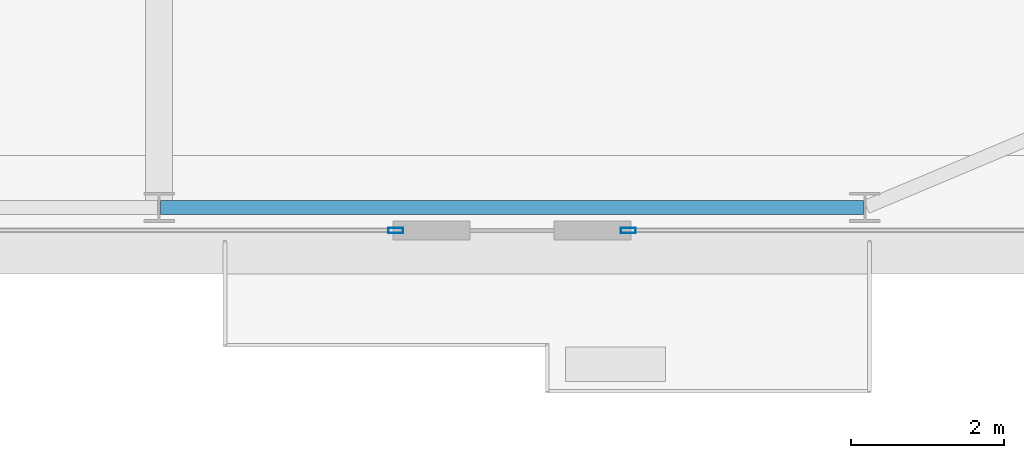
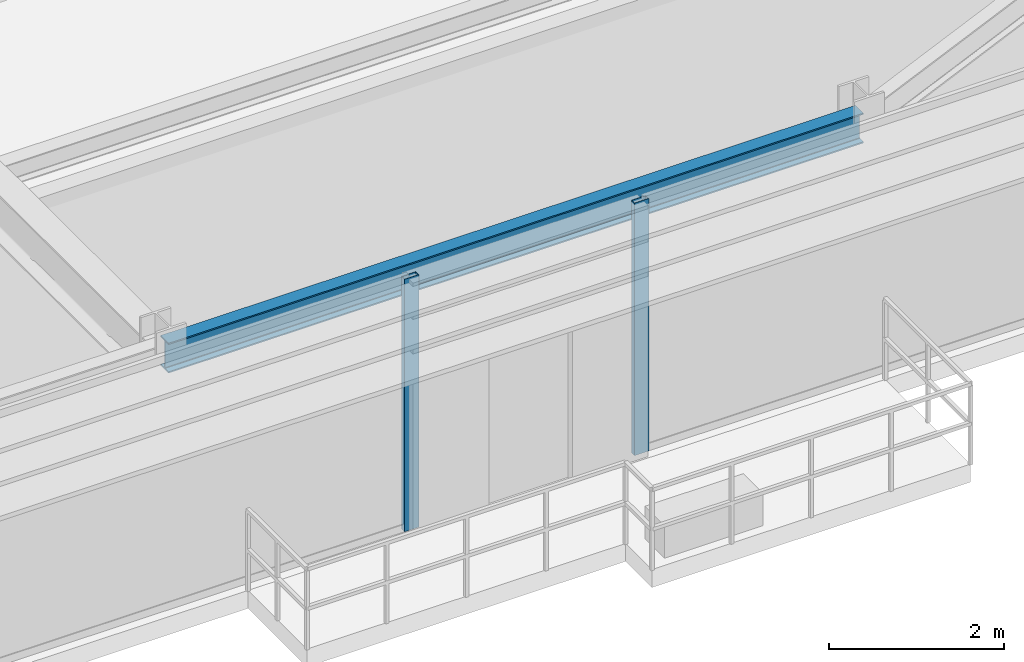
# One storey, part 12 of 31: 2 members, 1 beam, 2 elements without a shape of their own.
"""IFC4 building model written with IfcOpenShell, lengths in metres."""

from ifc_helpers import new_model, si_unit, direction, frame, origin, origin_2d, place, context, subcontext, project, spatial, hollow_rectangle, i_section, extrude, source, transform, mapped, material, layer, layer_set, material_profile, profile_set, type_object, type_shapes, element, aggregate, save


model = new_model("IFC4")

# Units and contexts
model_context = context("Model", 3, precision=1e-05, world=origin(), true_north=direction((0.0, 1.0)))
body_context = subcontext(model_context, "Body", "Model", "MODEL_VIEW")
ifc_project = project(units=[si_unit("LENGTHUNIT", "METRE"), si_unit("AREAUNIT", "SQUARE_METRE"), si_unit("VOLUMEUNIT", "CUBIC_METRE"), si_unit("PLANEANGLEUNIT", "RADIAN"), si_unit("MASSUNIT", "GRAM", prefix="KILO")], contexts=[model_context])

# Site, building, storey
site_placement = place(None, origin())
site = spatial("IfcSite", under=ifc_project, at=site_placement, CompositionType="ELEMENT")
building_placement = place(site_placement, origin())
building = spatial("IfcBuilding", under=site, at=building_placement, Name="Varnel Quay Broadcast Tower", CompositionType="ELEMENT")
storey_placement = place(building_placement, frame((0.0, 0.0, 94.60009765625)))
storey = spatial("IfcBuildingStorey", under=building, at=storey_placement, Name="L22", CompositionType="ELEMENT", Elevation=94.60009765625)

# Beam
ifc_material_1 = material(Name="Structural Steel CSA G40.21 350W", Category="steel")
ifc_material_profile_1 = material_profile(ifc_material_1, i_section(OverallWidth=0.180908203125, OverallDepth=0.4169921875, WebThickness=0.010986328125, FlangeThickness=0.018310546875, FilletRadius=0.011962890625, at=origin_2d()), Name="W410X85")
ifc_profile_set_1 = profile_set([ifc_material_profile_1], Name="Structural Steel CSA G40.21 350W")
beam_type = type_object("IfcBeamType", Name="Beam_W410X85", PredefinedType="SPANDREL", material=ifc_profile_set_1)
shared_shape_1 = source(origin(), body_context, "Body", "SweptSolid", [
    extrude(i_section(OverallWidth=0.180908203125, OverallDepth=0.4169921875, WebThickness=0.010986328125, FlangeThickness=0.018310546875, FilletRadius=0.011962890625, at=origin_2d()), origin(), (0.0, 0.0, 1.0), 9.159912109375),
])
type_shapes(beam_type, [shared_shape_1])
beam_placement = place(storey_placement, frame((43.219970703125, 4.64990234375, 3.3115234375), z_axis=(1.0, 0.0, 0.0), x_axis=(0.0, 1.0, 0.0)))
element("IfcBeam", 1, at=beam_placement, inside=storey, type_object=beam_type, Name="L22 South Spandrel TC-S4-TC-S5", PredefinedType="SPANDREL", context=body_context, shape_type="MappedRepresentation", body=[
    mapped(shared_shape_1, transform((0.0, 0.0, 0.0), x_axis=(1.0, 0.0, 0.0), y_axis=(0.0, 1.0, 0.0), z_axis=(0.0, 0.0, 1.0), scale=1.0)),
])

# Curtain wall, member
ifc_material_2 = material(Name="Anodised Bronze Aluminium 6063-T6", Category="aluminium")
ifc_layer = layer(ifc_material_2, 0.18994140625, Name="Anodised Bronze Aluminium 6063-T6")
ifc_layer_set = layer_set([ifc_layer], Name="Anodised Bronze Aluminium 6063-T6")
curtain_wall_type = type_object("IfcCurtainWallType", Name="CW_LowerTower", PredefinedType="NOTDEFINED", material=ifc_layer_set)
curtain_wall_1_placement = place(storey_placement, origin())
curtain_wall_1 = element("IfcCurtainWall", 2, at=curtain_wall_1_placement, inside=storey, type_object=curtain_wall_type, Name="L22 South Unitised Curtain Wall 2", PredefinedType="NOTDEFINED")
ifc_material_profile_2 = material_profile(ifc_material_2, hollow_rectangle(XDim=0.070068359375, YDim=0.18994140625, WallThickness=0.00390625, at=origin_2d()), Name="ALU70X190X4")
ifc_profile_set_2 = profile_set([ifc_material_profile_2], Name="Anodised Bronze Aluminium 6063-T6")
member_type = type_object("IfcMemberType", Name="Mull_CWS-02", PredefinedType="MULLION", material=ifc_profile_set_2)
shared_shape_2 = source(origin(), body_context, "Body", "SweptSolid", [
    extrude(hollow_rectangle(XDim=0.070068359375, YDim=0.18994140625, WallThickness=0.00390625, at=origin_2d()), origin(), (0.0, 0.0, 1.0), 3.52001953125),
])
type_shapes(member_type, [shared_shape_2])
member_1_placement = place(storey_placement, frame((46.284912109375, 4.35009765625, 0.0), z_axis=(0.0, 0.0, 1.0), x_axis=(0.0, 1.0, 0.0)))
member_1 = element("IfcMember", 3, at=member_1_placement, type_object=member_type, Name="CWS-02 mullion 3", PredefinedType="MULLION", context=body_context, shape_type="MappedRepresentation", body=[
    mapped(shared_shape_2, transform((0.0, 0.0, 0.0), x_axis=(1.0, 0.0, 0.0), y_axis=(0.0, 1.0, 0.0), z_axis=(0.0, 0.0, 1.0), scale=1.0)),
])
aggregate(curtain_wall_1, [member_1])

curtain_wall_2_placement = place(storey_placement, origin())
curtain_wall_2 = element("IfcCurtainWall", 4, at=curtain_wall_2_placement, inside=storey, type_object=curtain_wall_type, Name="L22 South Unitised Curtain Wall 3", PredefinedType="NOTDEFINED")
member_2_placement = place(storey_placement, frame((49.31494140625, 4.35009765625, 0.0), z_axis=(0.0, 0.0, 1.0), x_axis=(0.0, 1.0, 0.0)))
member_2 = element("IfcMember", 5, at=member_2_placement, type_object=member_type, Name="CWS-02 mullion 1", PredefinedType="MULLION", context=body_context, shape_type="MappedRepresentation", body=[
    mapped(shared_shape_2, transform((0.0, 0.0, 0.0), x_axis=(1.0, 0.0, 0.0), y_axis=(0.0, 1.0, 0.0), z_axis=(0.0, 0.0, 1.0), scale=1.0)),
])
aggregate(curtain_wall_2, [member_2])

save(model, "model.ifc")
